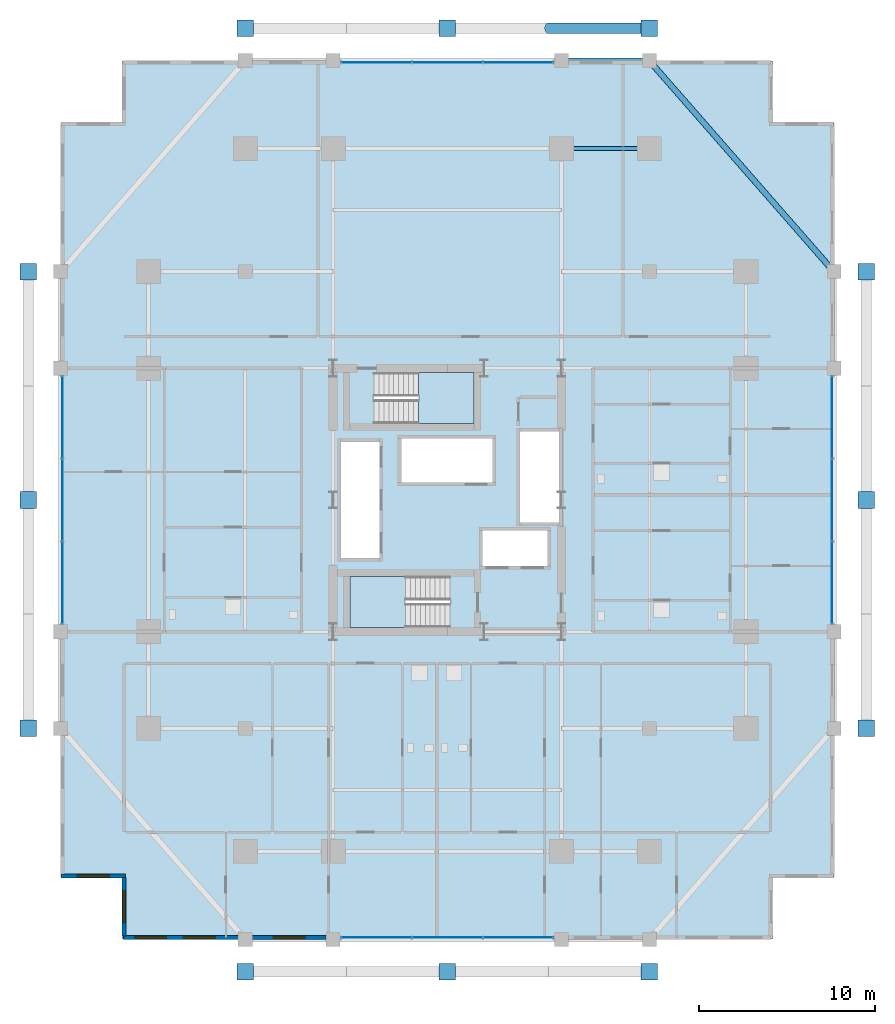
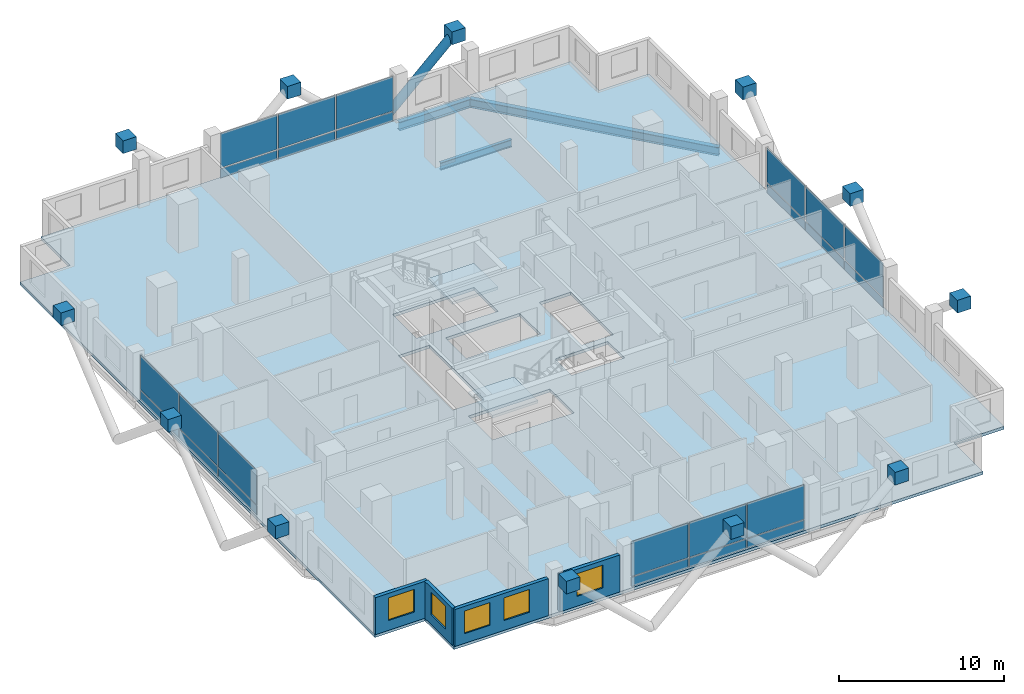
# One storey, part 16 of 23: 36 plates, 5 windows, 4 walls, 3 beams, 3 slabs, 1 member, 5 openings, 6 elements without a shape of their own.
"""IFC4 building model written with IfcOpenShell, lengths in metres."""

from ifc_helpers import new_model, si_unit, direction, frame, frame_2d, origin, origin_2d, place, context, subcontext, project, spatial, polyline, rectangle, hollow_circle, i_section, outline, extrude, material, layer, layer_set, material_profile, profile_set, type_object, element, fill, aggregate, save


model = new_model("IFC4")

# Units and contexts
model_context = context("Model", 3, precision=1e-05, world=origin(), true_north=direction((0.0, 1.0)))
body_context = subcontext(model_context, "Body", "Model", "MODEL_VIEW")
ifc_project = project(units=[si_unit("LENGTHUNIT", "METRE"), si_unit("AREAUNIT", "SQUARE_METRE"), si_unit("VOLUMEUNIT", "CUBIC_METRE"), si_unit("PLANEANGLEUNIT", "RADIAN"), si_unit("MASSUNIT", "GRAM", prefix="KILO")], contexts=[model_context])

# Site, building, storey
site_placement = place(None, origin())
site = spatial("IfcSite", under=ifc_project, at=site_placement, CompositionType="ELEMENT")
building_placement = place(site_placement, origin())
building = spatial("IfcBuilding", under=site, at=building_placement, Name="Barlavira Tower and Art Museum", CompositionType="ELEMENT")
storey_placement = place(building_placement, frame((0.0, 0.0, 68.39990234375)))
storey = spatial("IfcBuildingStorey", under=building, at=storey_placement, Name="L16", CompositionType="ELEMENT", Elevation=68.39990234375)

# Member
ifc_material_1 = material(Name="Steel S355", Category="steel")
ifc_material_profile_1 = material_profile(ifc_material_1, hollow_circle(Radius=0.304931640625, WallThickness=0.028076171875, at=origin_2d()), Name="CHS 610.0x28.0")
ifc_profile_set_1 = profile_set([ifc_material_profile_1], Name="Steel S355")
member_type = type_object("IfcMemberType", Name="Pale-Metal Exoskeleton Diagrid Tube CHS 610x28 Steel S355", PredefinedType="BRACE", material=ifc_profile_set_1)
member_placement = place(storey_placement, frame((5.75, 26.85009765625, -1.919921875), z_axis=(0.728950095515, 0.0, 0.684566839869), x_axis=(0.0, 1.0, 0.0)))
element("IfcMember", 1, at=member_placement, inside=storey, type_object=member_type, Name="L16 Exoskeleton Diagrid Tube N", PredefinedType="BRACE", context=body_context, shape_type="SweptSolid", body=[
    extrude(hollow_circle(Radius=0.304931640625, WallThickness=0.028076171875, at=origin_2d()), origin(), (0.0, 0.0, 1.0), 7.887939453125),
])

# Beams
ifc_material_profile_2 = material_profile(ifc_material_1, i_section(OverallWidth=0.327880859375, OverallDepth=0.62890625, WebThickness=0.013916015625, FlangeThickness=0.021484375, at=origin_2d()), Name="W610x174.0")
ifc_profile_set_2 = profile_set([ifc_material_profile_2], Name="Steel S355")
beam_type_1 = type_object("IfcBeamType", Name="Perimeter Spandrel Edge Beam W610x174 Steel S355", PredefinedType="SPANDREL", material=ifc_profile_set_2)
beam_1_placement = place(storey_placement, frame((22.0, 13.0, -0.534423828125), z_axis=(-0.658504607869, 0.752576694707, 0.0), x_axis=(-0.752576694707, -0.658504607869, 0.0)))
element("IfcBeam", 2, at=beam_1_placement, inside=storey, type_object=beam_type_1, Name="L16 Spandrel 8", PredefinedType="SPANDREL", context=body_context, shape_type="SweptSolid", body=[
    extrude(i_section(OverallWidth=0.327880859375, OverallDepth=0.62890625, WebThickness=0.013916015625, FlangeThickness=0.021484375, at=origin_2d()), origin(), (0.0, 0.0, 1.0), 15.9453125),
])
beam_2_placement = place(storey_placement, frame((6.5, 25.0, -0.534423828125), z_axis=(1.0, 0.0, 0.0), x_axis=(0.0, 1.0, 0.0)))
element("IfcBeam", 3, at=beam_2_placement, inside=storey, type_object=beam_type_1, Name="L16 Spandrel 9", PredefinedType="SPANDREL", context=body_context, shape_type="SweptSolid", body=[
    extrude(i_section(OverallWidth=0.327880859375, OverallDepth=0.62890625, WebThickness=0.013916015625, FlangeThickness=0.021484375, at=origin_2d()), origin(), (0.0, 0.0, 1.0), 5.0),
])
ifc_material_profile_3 = material_profile(ifc_material_1, i_section(OverallWidth=0.214111328125, OverallDepth=0.549072265625, WebThickness=0.0146484375, FlangeThickness=0.023681640625, at=origin_2d()), Name="W530x138.0")
ifc_profile_set_3 = profile_set([ifc_material_profile_3], Name="Steel S355")
beam_type_2 = type_object("IfcBeamType", Name="Zone 1 Primary Floor Girder W530x138 Steel S355", PredefinedType="BEAM", material=ifc_profile_set_3)
beam_3_placement = place(storey_placement, frame((6.5, 20.0, -0.494384765625), z_axis=(1.0, 0.0, 0.0), x_axis=(0.0, 1.0, 0.0)))
element("IfcBeam", 4, at=beam_3_placement, inside=storey, type_object=beam_type_2, Name="L16 Girder M-N3", PredefinedType="BEAM", context=body_context, shape_type="SweptSolid", body=[
    extrude(i_section(OverallWidth=0.214111328125, OverallDepth=0.549072265625, WebThickness=0.0146484375, FlangeThickness=0.023681640625, at=origin_2d()), origin(), (0.0, 0.0, 1.0), 5.0),
])

# Curtain wall, plates
ifc_material_2 = material(Name="Low-iron coastal laminated glass", Category="glass")
ifc_layer_1 = layer(ifc_material_2, 0.179931640625, Name="Low-iron coastal laminated glass")
ifc_layer_set_1 = layer_set([ifc_layer_1], Name="Low-iron coastal laminated glass")
curtain_wall_type = type_object("IfcCurtainWallType", Name="Pale-Metal Unitised Curtain Wall Zone 1", PredefinedType="NOTDEFINED", material=ifc_layer_set_1)
curtain_wall_1_placement = place(storey_placement, origin())
curtain_wall_1 = element("IfcCurtainWall", 5, at=curtain_wall_1_placement, inside=storey, type_object=curtain_wall_type, Name="L16 Curtain Wall CW1-L16-S-B3", PredefinedType="NOTDEFINED")
ifc_material_3 = material(Name="Pale anodised aluminium", Category="aluminium")
ifc_layer_2 = layer(ifc_material_3, 0.044921875, Name="Pale anodised aluminium")
ifc_layer_set_2 = layer_set([ifc_layer_2], Name="Pale anodised aluminium")
plate_type_1 = type_object("IfcPlateType", Name="Curtain Wall Pale-Metal Spandrel Panel 45", PredefinedType="CURTAIN_PANEL", material=ifc_layer_set_2)
plate_1_placement = place(storey_placement, frame((-4.05322265625, -24.89990234375, 0.0400390625), z_axis=(0.0, 0.0, 1.0), x_axis=(1.0, 0.0, 0.0)))
plate_1 = element("IfcPlate", 6, at=plate_1_placement, type_object=plate_type_1, Name="CW1-L16-S-B3 Spandrel Panel 0", PredefinedType="CURTAIN_PANEL", context=body_context, shape_type="SweptSolid", body=[
    extrude(rectangle(XDim=3.953369140625, YDim=0.044921875, at=origin_2d()), origin(), (0.0, 0.0, 1.0), 0.6640625),
])
plate_2_placement = place(storey_placement, frame((0.0, -24.89990234375, 0.0400390625), z_axis=(0.0, 0.0, 1.0), x_axis=(1.0, 0.0, 0.0)))
plate_2 = element("IfcPlate", 7, at=plate_2_placement, type_object=plate_type_1, Name="CW1-L16-S-B3 Spandrel Panel 1", PredefinedType="CURTAIN_PANEL", context=body_context, shape_type="SweptSolid", body=[
    extrude(rectangle(XDim=3.953369140625, YDim=0.044921875, at=origin_2d()), origin(), (0.0, 0.0, 1.0), 0.6640625),
])
plate_3_placement = place(storey_placement, frame((4.05322265625, -24.89990234375, 0.0400390625), z_axis=(0.0, 0.0, 1.0), x_axis=(1.0, 0.0, 0.0)))
plate_3 = element("IfcPlate", 8, at=plate_3_placement, type_object=plate_type_1, Name="CW1-L16-S-B3 Spandrel Panel 2", PredefinedType="CURTAIN_PANEL", context=body_context, shape_type="SweptSolid", body=[
    extrude(rectangle(XDim=3.953369140625, YDim=0.044921875, at=origin_2d()), origin(), (0.0, 0.0, 1.0), 0.6640625),
])

curtain_wall_2_placement = place(storey_placement, origin())
curtain_wall_2 = element("IfcCurtainWall", 9, at=curtain_wall_2_placement, inside=storey, type_object=curtain_wall_type, Name="L16 Curtain Wall CW1-L16-N-B3", PredefinedType="NOTDEFINED")
plate_4_placement = place(storey_placement, frame((4.05322265625, 24.89990234375, 0.0400390625), z_axis=(0.0, 0.0, 1.0), x_axis=(-1.0, 0.0, 0.0)))
plate_4 = element("IfcPlate", 10, at=plate_4_placement, type_object=plate_type_1, Name="CW1-L16-N-B3 Spandrel Panel 0", PredefinedType="CURTAIN_PANEL", context=body_context, shape_type="SweptSolid", body=[
    extrude(rectangle(XDim=3.953369140625, YDim=0.044921875, at=origin_2d()), origin(), (0.0, 0.0, 1.0), 0.6640625),
])
plate_5_placement = place(storey_placement, frame((0.0, 24.89990234375, 0.0400390625), z_axis=(0.0, 0.0, 1.0), x_axis=(-1.0, 0.0, 0.0)))
plate_5 = element("IfcPlate", 11, at=plate_5_placement, type_object=plate_type_1, Name="CW1-L16-N-B3 Spandrel Panel 1", PredefinedType="CURTAIN_PANEL", context=body_context, shape_type="SweptSolid", body=[
    extrude(rectangle(XDim=3.953369140625, YDim=0.044921875, at=origin_2d()), origin(), (0.0, 0.0, 1.0), 0.6640625),
])
plate_6_placement = place(storey_placement, frame((-4.05322265625, 24.89990234375, 0.0400390625), z_axis=(0.0, 0.0, 1.0), x_axis=(-1.0, 0.0, 0.0)))
plate_6 = element("IfcPlate", 12, at=plate_6_placement, type_object=plate_type_1, Name="CW1-L16-N-B3 Spandrel Panel 2", PredefinedType="CURTAIN_PANEL", context=body_context, shape_type="SweptSolid", body=[
    extrude(rectangle(XDim=3.953369140625, YDim=0.044921875, at=origin_2d()), origin(), (0.0, 0.0, 1.0), 0.6640625),
])

curtain_wall_3_placement = place(storey_placement, origin())
curtain_wall_3 = element("IfcCurtainWall", 13, at=curtain_wall_3_placement, inside=storey, type_object=curtain_wall_type, Name="L16 Curtain Wall CW1-L16-W-B3", PredefinedType="NOTDEFINED")
plate_7_placement = place(storey_placement, frame((-21.89990234375, 4.719970703125, 0.0400390625), z_axis=(0.0, 0.0, 1.0), x_axis=(0.0, -1.0, 0.0)))
plate_7 = element("IfcPlate", 14, at=plate_7_placement, type_object=plate_type_1, Name="CW1-L16-W-B3 Spandrel Panel 0", PredefinedType="CURTAIN_PANEL", context=body_context, shape_type="SweptSolid", body=[
    extrude(rectangle(XDim=4.6201171875, YDim=0.044921875, at=origin_2d()), origin(), (0.0, 0.0, 1.0), 0.6640625),
])
plate_8_placement = place(storey_placement, frame((-21.89990234375, 0.0, 0.0400390625), z_axis=(0.0, 0.0, 1.0), x_axis=(0.0, -1.0, 0.0)))
plate_8 = element("IfcPlate", 15, at=plate_8_placement, type_object=plate_type_1, Name="CW1-L16-W-B3 Spandrel Panel 1", PredefinedType="CURTAIN_PANEL", context=body_context, shape_type="SweptSolid", body=[
    extrude(rectangle(XDim=4.6201171875, YDim=0.044921875, at=origin_2d()), origin(), (0.0, 0.0, 1.0), 0.6640625),
])
plate_9_placement = place(storey_placement, frame((-21.89990234375, -4.719970703125, 0.0400390625), z_axis=(0.0, 0.0, 1.0), x_axis=(0.0, -1.0, 0.0)))
plate_9 = element("IfcPlate", 16, at=plate_9_placement, type_object=plate_type_1, Name="CW1-L16-W-B3 Spandrel Panel 2", PredefinedType="CURTAIN_PANEL", context=body_context, shape_type="SweptSolid", body=[
    extrude(rectangle(XDim=4.6201171875, YDim=0.044921875, at=origin_2d()), origin(), (0.0, 0.0, 1.0), 0.6640625),
])

curtain_wall_4_placement = place(storey_placement, origin())
curtain_wall_4 = element("IfcCurtainWall", 17, at=curtain_wall_4_placement, inside=storey, type_object=curtain_wall_type, Name="L16 Curtain Wall CW1-L16-E-B3", PredefinedType="NOTDEFINED")
plate_10_placement = place(storey_placement, frame((21.89990234375, -4.719970703125, 0.0400390625), z_axis=(0.0, 0.0, 1.0), x_axis=(0.0, 1.0, 0.0)))
plate_10 = element("IfcPlate", 18, at=plate_10_placement, type_object=plate_type_1, Name="CW1-L16-E-B3 Spandrel Panel 0", PredefinedType="CURTAIN_PANEL", context=body_context, shape_type="SweptSolid", body=[
    extrude(rectangle(XDim=4.6201171875, YDim=0.044921875, at=origin_2d()), origin(), (0.0, 0.0, 1.0), 0.6640625),
])
plate_11_placement = place(storey_placement, frame((21.89990234375, 0.0, 0.0400390625), z_axis=(0.0, 0.0, 1.0), x_axis=(0.0, 1.0, 0.0)))
plate_11 = element("IfcPlate", 19, at=plate_11_placement, type_object=plate_type_1, Name="CW1-L16-E-B3 Spandrel Panel 1", PredefinedType="CURTAIN_PANEL", context=body_context, shape_type="SweptSolid", body=[
    extrude(rectangle(XDim=4.6201171875, YDim=0.044921875, at=origin_2d()), origin(), (0.0, 0.0, 1.0), 0.6640625),
])
plate_12_placement = place(storey_placement, frame((21.89990234375, 4.719970703125, 0.0400390625), z_axis=(0.0, 0.0, 1.0), x_axis=(0.0, 1.0, 0.0)))
plate_12 = element("IfcPlate", 20, at=plate_12_placement, type_object=plate_type_1, Name="CW1-L16-E-B3 Spandrel Panel 2", PredefinedType="CURTAIN_PANEL", context=body_context, shape_type="SweptSolid", body=[
    extrude(rectangle(XDim=4.6201171875, YDim=0.044921875, at=origin_2d()), origin(), (0.0, 0.0, 1.0), 0.6640625),
])

# Plate
ifc_layer_3 = layer(ifc_material_2, 0.028076171875, Name="Low-iron coastal laminated glass")
ifc_layer_set_3 = layer_set([ifc_layer_3], Name="Low-iron coastal laminated glass")
plate_type_2 = type_object("IfcPlateType", Name="Curtain Wall Vision Glazing Panel 28", PredefinedType="CURTAIN_PANEL", material=ifc_layer_set_3)
plate_13_placement = place(storey_placement, frame((-4.05322265625, -24.89990234375, 0.7841796875), z_axis=(0.0, 0.0, 1.0), x_axis=(1.0, 0.0, 0.0)))
plate_13 = element("IfcPlate", 21, at=plate_13_placement, type_object=plate_type_2, Name="CW1-L16-S-B3 Vision Glass Panel 0", PredefinedType="CURTAIN_PANEL", context=body_context, shape_type="SweptSolid", body=[
    extrude(rectangle(XDim=3.953369140625, YDim=0.028076171875, at=origin_2d()), origin(), (0.0, 0.0, 1.0), 2.555908203125),
])

plate_14_placement = place(storey_placement, frame((0.0, -24.89990234375, 0.7841796875), z_axis=(0.0, 0.0, 1.0), x_axis=(1.0, 0.0, 0.0)))
plate_14 = element("IfcPlate", 22, at=plate_14_placement, type_object=plate_type_2, Name="CW1-L16-S-B3 Vision Glass Panel 1", PredefinedType="CURTAIN_PANEL", context=body_context, shape_type="SweptSolid", body=[
    extrude(rectangle(XDim=3.953369140625, YDim=0.028076171875, at=origin_2d()), origin(), (0.0, 0.0, 1.0), 2.555908203125),
])

plate_15_placement = place(storey_placement, frame((4.05322265625, -24.89990234375, 0.7841796875), z_axis=(0.0, 0.0, 1.0), x_axis=(1.0, 0.0, 0.0)))
plate_15 = element("IfcPlate", 23, at=plate_15_placement, type_object=plate_type_2, Name="CW1-L16-S-B3 Vision Glass Panel 2", PredefinedType="CURTAIN_PANEL", context=body_context, shape_type="SweptSolid", body=[
    extrude(rectangle(XDim=3.953369140625, YDim=0.028076171875, at=origin_2d()), origin(), (0.0, 0.0, 1.0), 2.555908203125),
])

aggregate(curtain_wall_1, [plate_1, plate_13, plate_2, plate_14, plate_3, plate_15])

plate_16_placement = place(storey_placement, frame((4.05322265625, 24.89990234375, 0.7841796875), z_axis=(0.0, 0.0, 1.0), x_axis=(-1.0, 0.0, 0.0)))
plate_16 = element("IfcPlate", 24, at=plate_16_placement, type_object=plate_type_2, Name="CW1-L16-N-B3 Vision Glass Panel 0", PredefinedType="CURTAIN_PANEL", context=body_context, shape_type="SweptSolid", body=[
    extrude(rectangle(XDim=3.953369140625, YDim=0.028076171875, at=origin_2d()), origin(), (0.0, 0.0, 1.0), 2.555908203125),
])

plate_17_placement = place(storey_placement, frame((0.0, 24.89990234375, 0.7841796875), z_axis=(0.0, 0.0, 1.0), x_axis=(-1.0, 0.0, 0.0)))
plate_17 = element("IfcPlate", 25, at=plate_17_placement, type_object=plate_type_2, Name="CW1-L16-N-B3 Vision Glass Panel 1", PredefinedType="CURTAIN_PANEL", context=body_context, shape_type="SweptSolid", body=[
    extrude(rectangle(XDim=3.953369140625, YDim=0.028076171875, at=origin_2d()), origin(), (0.0, 0.0, 1.0), 2.555908203125),
])

plate_18_placement = place(storey_placement, frame((-4.05322265625, 24.89990234375, 0.7841796875), z_axis=(0.0, 0.0, 1.0), x_axis=(-1.0, 0.0, 0.0)))
plate_18 = element("IfcPlate", 26, at=plate_18_placement, type_object=plate_type_2, Name="CW1-L16-N-B3 Vision Glass Panel 2", PredefinedType="CURTAIN_PANEL", context=body_context, shape_type="SweptSolid", body=[
    extrude(rectangle(XDim=3.953369140625, YDim=0.028076171875, at=origin_2d()), origin(), (0.0, 0.0, 1.0), 2.555908203125),
])

aggregate(curtain_wall_2, [plate_4, plate_16, plate_5, plate_17, plate_6, plate_18])

plate_19_placement = place(storey_placement, frame((-21.89990234375, 4.719970703125, 0.7841796875), z_axis=(0.0, 0.0, 1.0), x_axis=(0.0, -1.0, 0.0)))
plate_19 = element("IfcPlate", 27, at=plate_19_placement, type_object=plate_type_2, Name="CW1-L16-W-B3 Vision Glass Panel 0", PredefinedType="CURTAIN_PANEL", context=body_context, shape_type="SweptSolid", body=[
    extrude(rectangle(XDim=4.6201171875, YDim=0.028076171875, at=origin_2d()), origin(), (0.0, 0.0, 1.0), 2.555908203125),
])

plate_20_placement = place(storey_placement, frame((-21.89990234375, 0.0, 0.7841796875), z_axis=(0.0, 0.0, 1.0), x_axis=(0.0, -1.0, 0.0)))
plate_20 = element("IfcPlate", 28, at=plate_20_placement, type_object=plate_type_2, Name="CW1-L16-W-B3 Vision Glass Panel 1", PredefinedType="CURTAIN_PANEL", context=body_context, shape_type="SweptSolid", body=[
    extrude(rectangle(XDim=4.6201171875, YDim=0.028076171875, at=origin_2d()), origin(), (0.0, 0.0, 1.0), 2.555908203125),
])

plate_21_placement = place(storey_placement, frame((-21.89990234375, -4.719970703125, 0.7841796875), z_axis=(0.0, 0.0, 1.0), x_axis=(0.0, -1.0, 0.0)))
plate_21 = element("IfcPlate", 29, at=plate_21_placement, type_object=plate_type_2, Name="CW1-L16-W-B3 Vision Glass Panel 2", PredefinedType="CURTAIN_PANEL", context=body_context, shape_type="SweptSolid", body=[
    extrude(rectangle(XDim=4.6201171875, YDim=0.028076171875, at=origin_2d()), origin(), (0.0, 0.0, 1.0), 2.555908203125),
])

aggregate(curtain_wall_3, [plate_7, plate_19, plate_8, plate_20, plate_9, plate_21])

plate_22_placement = place(storey_placement, frame((21.89990234375, -4.719970703125, 0.7841796875), z_axis=(0.0, 0.0, 1.0), x_axis=(0.0, 1.0, 0.0)))
plate_22 = element("IfcPlate", 30, at=plate_22_placement, type_object=plate_type_2, Name="CW1-L16-E-B3 Vision Glass Panel 0", PredefinedType="CURTAIN_PANEL", context=body_context, shape_type="SweptSolid", body=[
    extrude(rectangle(XDim=4.6201171875, YDim=0.028076171875, at=origin_2d()), origin(), (0.0, 0.0, 1.0), 2.555908203125),
])

plate_23_placement = place(storey_placement, frame((21.89990234375, 0.0, 0.7841796875), z_axis=(0.0, 0.0, 1.0), x_axis=(0.0, 1.0, 0.0)))
plate_23 = element("IfcPlate", 31, at=plate_23_placement, type_object=plate_type_2, Name="CW1-L16-E-B3 Vision Glass Panel 1", PredefinedType="CURTAIN_PANEL", context=body_context, shape_type="SweptSolid", body=[
    extrude(rectangle(XDim=4.6201171875, YDim=0.028076171875, at=origin_2d()), origin(), (0.0, 0.0, 1.0), 2.555908203125),
])

plate_24_placement = place(storey_placement, frame((21.89990234375, 4.719970703125, 0.7841796875), z_axis=(0.0, 0.0, 1.0), x_axis=(0.0, 1.0, 0.0)))
plate_24 = element("IfcPlate", 32, at=plate_24_placement, type_object=plate_type_2, Name="CW1-L16-E-B3 Vision Glass Panel 2", PredefinedType="CURTAIN_PANEL", context=body_context, shape_type="SweptSolid", body=[
    extrude(rectangle(XDim=4.6201171875, YDim=0.028076171875, at=origin_2d()), origin(), (0.0, 0.0, 1.0), 2.555908203125),
])

aggregate(curtain_wall_4, [plate_10, plate_22, plate_11, plate_23, plate_12, plate_24])

# Plates
ifc_layer_4 = layer(ifc_material_1, 0.93994140625, Name="Steel S355")
ifc_layer_set_4 = layer_set([ifc_layer_4], Name="Steel S355")
plate_type_3 = type_object("IfcPlateType", Name="Exoskeleton Solid Steel Node Cap Plate Assembly Type 1 Steel S355", PredefinedType="USERDEFINED", material=ifc_layer_set_4)
for number, where, z_axis, x_axis, name in (
    (33, (-11.5, -26.85009765625, 3.010009765625), (0.0, 0.0, 1.0), (1.0, 0.0, 0.0), "Exoskeleton Node S ND-L16-0109"),
    (34, (0.0, -26.85009765625, 3.010009765625), (0.0, 0.0, 1.0), (1.0, 0.0, 0.0), "Exoskeleton Node S ND-L16-0110"),
    (35, (11.5, -26.85009765625, 3.010009765625), (0.0, 0.0, 1.0), (1.0, 0.0, 0.0), "Exoskeleton Node S ND-L16-0111"),
    (36, (-11.5, 26.85009765625, 3.010009765625), (0.0, 0.0, 1.0), (1.0, 0.0, 0.0), "Exoskeleton Node N ND-L16-0117"),
    (37, (0.0, 26.85009765625, 3.010009765625), (0.0, 0.0, 1.0), (1.0, 0.0, 0.0), "Exoskeleton Node N ND-L16-0118"),
    (38, (11.5, 26.85009765625, 3.010009765625), (0.0, 0.0, 1.0), (1.0, 0.0, 0.0), "Exoskeleton Node N ND-L16-0119"),
    (39, (-23.85009765625, -13.0, 3.010009765625), (0.0, 0.0, 1.0), (1.0, 0.0, 0.0), "Exoskeleton Node W ND-L16-0125"),
    (40, (-23.85009765625, 0.0, 3.010009765625), (0.0, 0.0, 1.0), (1.0, 0.0, 0.0), "Exoskeleton Node W ND-L16-0126"),
    (41, (-23.85009765625, 13.0, 3.010009765625), (0.0, 0.0, 1.0), (1.0, 0.0, 0.0), "Exoskeleton Node W ND-L16-0127"),
    (42, (23.85009765625, -13.0, 3.010009765625), (0.0, 0.0, 1.0), (1.0, 0.0, 0.0), "Exoskeleton Node E ND-L16-0133"),
    (43, (23.85009765625, 0.0, 3.010009765625), (0.0, 0.0, 1.0), (1.0, 0.0, 0.0), "Exoskeleton Node E ND-L16-0134"),
    (44, (23.85009765625, 13.0, 3.010009765625), (0.0, 0.0, 1.0), (1.0, 0.0, 0.0), "Exoskeleton Node E ND-L16-0135"),
):
    element("IfcPlate", number, at=place(storey_placement, frame(where, z_axis=z_axis, x_axis=x_axis)), inside=storey, type_object=plate_type_3, Name=name, ObjectType="FLANGE_PLATE", PredefinedType="USERDEFINED", context=body_context, shape_type="SweptSolid", body=[
        extrude(rectangle(XDim=0.93994140625, YDim=0.93994140625, at=origin_2d()), origin(), (0.0, 0.0, 1.0), 0.93994140625),
    ])

# Stair, slab
ifc_material_4 = material(Name="Concrete C45", Category="concrete")
stair_type_1 = type_object("IfcStairType", Name="Tower North Dog-Leg Exit Stair Assembly Concrete C45", PredefinedType="TWO_QUARTER_TURN_STAIR", material=ifc_material_4)
stair_1_placement = place(storey_placement, origin())
stair_1 = element("IfcStair", 45, at=stair_1_placement, inside=storey, type_object=stair_type_1, Name="L16 Tower North Exit Stair ST-T2", PredefinedType="TWO_QUARTER_TURN_STAIR")
ifc_layer_5 = layer(ifc_material_4, 0.199951171875, Name="Concrete C45")
ifc_layer_set_5 = layer_set([ifc_layer_5], Name="Concrete C45")
slab_type_1 = type_object("IfcSlabType", Name="Tower North Dog-Leg Exit Stair Half-Landing Slab 200 Concrete C45", PredefinedType="LANDING", material=ifc_layer_set_5)
slab_1_placement = place(storey_placement, frame((0.0, 0.0, 1.60009765625)))
slab_1 = element("IfcSlab", 46, at=slab_1_placement, type_object=slab_type_1, Name="ST-T2 landing 1", PredefinedType="LANDING", context=body_context, shape_type="SweptSolid", body=[
    extrude(outline(polyline([(-1.64990234375, 4.35009765625), (1.530029296875, 4.35009765625), (1.530029296875, 7.25), (-1.64990234375, 7.25), (-1.64990234375, 4.35009765625)])), origin(), (0.0, 0.0, 1.0), 0.199951171875),
])
aggregate(stair_1, [slab_1])

stair_type_2 = type_object("IfcStairType", Name="Tower South Dog-Leg Exit Stair Assembly Concrete C45", PredefinedType="TWO_QUARTER_TURN_STAIR", material=ifc_material_4)
stair_2_placement = place(storey_placement, origin())
stair_2 = element("IfcStair", 47, at=stair_2_placement, inside=storey, type_object=stair_type_2, Name="L16 Tower South Exit Stair ST-T1", PredefinedType="TWO_QUARTER_TURN_STAIR")
ifc_layer_6 = layer(ifc_material_4, 0.199951171875, Name="Concrete C45")
ifc_layer_set_6 = layer_set([ifc_layer_6], Name="Concrete C45")
slab_type_2 = type_object("IfcSlabType", Name="Tower South Dog-Leg Exit Stair Half-Landing Slab 200 Concrete C45", PredefinedType="LANDING", material=ifc_layer_set_6)
slab_2_placement = place(storey_placement, frame((0.0, 0.0, 1.60009765625)))
slab_2 = element("IfcSlab", 48, at=slab_2_placement, type_object=slab_type_2, Name="ST-T1 landing 1", PredefinedType="LANDING", context=body_context, shape_type="SweptSolid", body=[
    extrude(outline(polyline([(-2.3701171875, -4.35009765625), (-5.550048828125, -4.35009765625), (-5.550048828125, -7.25), (-2.3701171875, -7.25), (-2.3701171875, -4.35009765625)])), origin(), (0.0, 0.0, 1.0), 0.199951171875),
])
aggregate(stair_2, [slab_2])

# Slab
ifc_material_5 = material(Name="Concrete C50", Category="concrete")
ifc_layer_7 = layer(ifc_material_5, 0.219970703125, Name="Concrete C50")
ifc_layer_set_7 = layer_set([ifc_layer_7], Name="Concrete C50")
slab_type_3 = type_object("IfcSlabType", Name="Zone 1 Residential Composite Slab 220 Concrete C50", PredefinedType="FLOOR", material=ifc_layer_set_7)
slab_3_placement = place(storey_placement, frame((0.0, 0.0, -0.219970703125)))
element("IfcSlab", 49, at=slab_3_placement, inside=storey, type_object=slab_type_3, Name="L16 Tower Floor Slab", PredefinedType="FLOOR", context=body_context, shape_type="SweptSolid", body=[
    extrude(outline(polyline([(-18.5, -25.0), (18.5, -25.0), (18.5, -21.5), (22.0, -21.5), (22.0, 21.5), (18.5, 21.5), (18.5, 25.0), (-18.5, 25.0), (-18.5, 21.5), (-22.0, 21.5), (-22.0, -21.5), (-18.5, -21.5), (-18.5, -25.0)]), holes=[polyline([(0.14990234375, -4.35009765625), (-5.550048828125, -4.35009765625), (-5.550048828125, -7.25), (0.14990234375, -7.25), (0.14990234375, -4.35009765625)]), polyline([(-4.169921875, 4.35009765625), (1.530029296875, 4.35009765625), (1.530029296875, 7.25), (-4.169921875, 7.25), (-4.169921875, 4.35009765625)]), polyline([(-6.050048828125, -3.31005859375), (-3.85009765625, -3.31005859375), (-3.85009765625, 3.31005859375), (-6.050048828125, 3.31005859375), (-6.050048828125, -3.31005859375)]), polyline([(4.14990234375, -1.2900390625), (6.35009765625, -1.2900390625), (6.35009765625, 3.889892578125), (4.14990234375, 3.889892578125), (4.14990234375, -1.2900390625)]), polyline([(-2.6201171875, 1.0), (2.56005859375, 1.0), (2.56005859375, 3.5), (-2.6201171875, 3.5), (-2.6201171875, 1.0)]), polyline([(2.0, -3.75), (5.699951171875, -3.75), (5.699951171875, -1.75), (2.0, -1.75), (2.0, -3.75)])]), origin(), (0.0, 0.0, 1.0), 0.219970703125),
])

# Wall, openings, windows
ifc_material_6 = material(Name="Precast concrete C40", Category="concrete")
ifc_layer_8 = layer(ifc_material_6, 0.25, Name="Precast concrete C40")
ifc_layer_set_8 = layer_set([ifc_layer_8], Name="Precast concrete C40")
wall_type = type_object("IfcWallType", Name="Notched Corner Spandrel Wall 250 Precast Concrete C40", PredefinedType="SOLIDWALL", material=ifc_layer_set_8)
wall_1_placement = place(storey_placement, frame((-18.425048828125, -24.89990234375, 0.0), z_axis=(0.0, 0.0, 1.0), x_axis=(1.0, 0.0, 0.0)))
wall_1 = element("IfcWall", 50, at=wall_1_placement, inside=storey, type_object=wall_type, Name="L16 Coastal Facade Pier Wall CW1-L16-S-1", PredefinedType="SOLIDWALL", context=body_context, shape_type="SweptSolid", body=[
    extrude(rectangle(XDim=6.530029296875, YDim=0.25, at=frame_2d((3.26513671875, 0.0))), origin(), (0.0, 0.0, 1.0), 2.736083984375),
])
opening_1_placement = place(wall_1_placement, frame((0.64111328125, 0.0, 0.719970703125)))
opening_1 = element("IfcOpeningElement", 51, at=opening_1_placement, cuts=wall_1, Name="Opening WN-01", PredefinedType="OPENING", context=body_context, shape_type="SweptSolid", body=[
    extrude(rectangle(XDim=1.800048828125, YDim=1.679931640625, at=frame_2d((0.89990234375, 0.83984375))), frame((0.0, 0.135009765625, 0.0), z_axis=(0.0, -1.0, 0.0), x_axis=(1.0, 0.0, 0.0)), (0.0, 0.0, 1.0), 0.27001953125),
])
opening_2_placement = place(wall_1_placement, frame((3.404052734375, 0.0, 0.719970703125)))
opening_2 = element("IfcOpeningElement", 52, at=opening_2_placement, cuts=wall_1, Name="Opening WN-01", PredefinedType="OPENING", context=body_context, shape_type="SweptSolid", body=[
    extrude(rectangle(XDim=1.800048828125, YDim=1.679931640625, at=frame_2d((0.89990234375, 0.83984375))), frame((0.0, 0.135009765625, 0.0), z_axis=(0.0, -1.0, 0.0), x_axis=(1.0, 0.0, 0.0)), (0.0, 0.0, 1.0), 0.27001953125),
])
window_type = type_object("IfcWindowType", Name="Recessed Notch Corner Punch Window 1800x1680", PartitioningType="SINGLE_PANEL", PredefinedType="WINDOW", material=ifc_material_2)
window_1_placement = place(opening_1_placement, origin())
window_1 = element("IfcWindow", 53, at=window_1_placement, inside=storey, type_object=window_type, Name="L16 Punched Facade Window EWP-CW1-L16-S-1-1", OverallHeight=1.679931640625, OverallWidth=1.800048828125, PartitioningType="SINGLE_PANEL", PredefinedType="WINDOW", context=body_context, shape_type="SweptSolid", body=[
    extrude(rectangle(XDim=1.800048828125, YDim=1.679931640625, at=frame_2d((0.89990234375, 0.83984375))), frame((0.0, 0.030029296875, 0.0), z_axis=(0.0, -1.0, 0.0), x_axis=(1.0, 0.0, 0.0)), (0.0, 0.0, 1.0), 0.06005859375),
])
fill(opening_1, window_1)
window_2_placement = place(opening_2_placement, origin())
window_2 = element("IfcWindow", 54, at=window_2_placement, inside=storey, type_object=window_type, Name="L16 Punched Facade Window EWP-CW1-L16-S-1-2", OverallHeight=1.679931640625, OverallWidth=1.800048828125, PartitioningType="SINGLE_PANEL", PredefinedType="WINDOW", context=body_context, shape_type="SweptSolid", body=[
    extrude(rectangle(XDim=1.800048828125, YDim=1.679931640625, at=frame_2d((0.89990234375, 0.83984375))), frame((0.0, 0.030029296875, 0.0), z_axis=(0.0, -1.0, 0.0), x_axis=(1.0, 0.0, 0.0)), (0.0, 0.0, 1.0), 0.06005859375),
])
fill(opening_2, window_2)

# Wall, opening, window
wall_2_placement = place(storey_placement, frame((-11.10498046875, -24.89990234375, 0.0), z_axis=(0.0, 0.0, 1.0), x_axis=(1.0, 0.0, 0.0)))
wall_2 = element("IfcWall", 55, at=wall_2_placement, inside=storey, type_object=wall_type, Name="L16 Coastal Facade Pier Wall CW1-L16-S-2", PredefinedType="SOLIDWALL", context=body_context, shape_type="SweptSolid", body=[
    extrude(rectangle(XDim=4.2099609375, YDim=0.25, at=frame_2d((2.10498046875, 0.0))), origin(), (0.0, 0.0, 1.0), 2.736083984375),
])
opening_3_placement = place(wall_2_placement, frame((1.205078125, 0.0, 0.719970703125)))
opening_3 = element("IfcOpeningElement", 56, at=opening_3_placement, cuts=wall_2, Name="Opening WN-01", PredefinedType="OPENING", context=body_context, shape_type="SweptSolid", body=[
    extrude(rectangle(XDim=1.800048828125, YDim=1.679931640625, at=frame_2d((0.89990234375, 0.83984375))), frame((0.0, 0.135009765625, 0.0), z_axis=(0.0, -1.0, 0.0), x_axis=(1.0, 0.0, 0.0)), (0.0, 0.0, 1.0), 0.27001953125),
])
window_3_placement = place(opening_3_placement, origin())
window_3 = element("IfcWindow", 57, at=window_3_placement, inside=storey, type_object=window_type, Name="L16 Punched Facade Window EWP-CW1-L16-S-2-1", OverallHeight=1.679931640625, OverallWidth=1.800048828125, PartitioningType="SINGLE_PANEL", PredefinedType="WINDOW", context=body_context, shape_type="SweptSolid", body=[
    extrude(rectangle(XDim=1.800048828125, YDim=1.679931640625, at=frame_2d((0.89990234375, 0.83984375))), frame((0.0, 0.030029296875, 0.0), z_axis=(0.0, -1.0, 0.0), x_axis=(1.0, 0.0, 0.0)), (0.0, 0.0, 1.0), 0.06005859375),
])
fill(opening_3, window_3)

wall_3_placement = place(storey_placement, frame((-21.97998046875, -21.39990234375, 0.0), z_axis=(0.0, 0.0, 1.0), x_axis=(1.0, 0.0, 0.0)))
wall_3 = element("IfcWall", 58, at=wall_3_placement, inside=storey, type_object=wall_type, Name="L16 Notch Corner Wall SW1", PredefinedType="SOLIDWALL", context=body_context, shape_type="SweptSolid", body=[
    extrude(rectangle(XDim=3.659912109375, YDim=0.25, at=frame_2d((1.830078125, 0.0))), origin(), (0.0, 0.0, 1.0), 2.736083984375),
])
opening_4_placement = place(wall_3_placement, frame((0.929931640625, 0.0, 0.719970703125)))
opening_4 = element("IfcOpeningElement", 59, at=opening_4_placement, cuts=wall_3, Name="Opening WN-01", PredefinedType="OPENING", context=body_context, shape_type="SweptSolid", body=[
    extrude(rectangle(XDim=1.800048828125, YDim=1.679931640625, at=frame_2d((0.89990234375, 0.83984375))), frame((0.0, 0.135009765625, 0.0), z_axis=(0.0, -1.0, 0.0), x_axis=(1.0, 0.0, 0.0)), (0.0, 0.0, 1.0), 0.27001953125),
])
window_4_placement = place(opening_4_placement, origin())
window_4 = element("IfcWindow", 60, at=window_4_placement, inside=storey, type_object=window_type, Name="L16 Punched Facade Window EW-NTC-L16-SW1-1", OverallHeight=1.679931640625, OverallWidth=1.800048828125, PartitioningType="SINGLE_PANEL", PredefinedType="WINDOW", context=body_context, shape_type="SweptSolid", body=[
    extrude(rectangle(XDim=1.800048828125, YDim=1.679931640625, at=frame_2d((0.89990234375, 0.83984375))), frame((0.0, 0.030029296875, 0.0), z_axis=(0.0, -1.0, 0.0), x_axis=(1.0, 0.0, 0.0)), (0.0, 0.0, 1.0), 0.06005859375),
])
fill(opening_4, window_4)

wall_4_placement = place(storey_placement, frame((-18.39990234375, -21.47998046875, 0.0), z_axis=(0.0, 0.0, 1.0), x_axis=(0.0, -1.0, 0.0)))
wall_4 = element("IfcWall", 61, at=wall_4_placement, inside=storey, type_object=wall_type, Name="L16 Notch Corner Wall SW2", PredefinedType="SOLIDWALL", context=body_context, shape_type="SweptSolid", body=[
    extrude(rectangle(XDim=3.340087890625, YDim=0.25, at=frame_2d((1.669921875, 0.0))), origin(), (0.0, 0.0, 1.0), 2.736083984375),
])
opening_5_placement = place(wall_4_placement, frame((0.77001953125, 0.0, 0.719970703125)))
opening_5 = element("IfcOpeningElement", 62, at=opening_5_placement, cuts=wall_4, Name="Opening WN-01", PredefinedType="OPENING", context=body_context, shape_type="SweptSolid", body=[
    extrude(rectangle(XDim=1.800048828125, YDim=1.679931640625, at=frame_2d((0.89990234375, 0.83984375))), frame((0.0, 0.135009765625, 0.0), z_axis=(0.0, -1.0, 0.0), x_axis=(1.0, 0.0, 0.0)), (0.0, 0.0, 1.0), 0.27001953125),
])
window_5_placement = place(opening_5_placement, origin())
window_5 = element("IfcWindow", 63, at=window_5_placement, inside=storey, type_object=window_type, Name="L16 Punched Facade Window EW-NTC-L16-SW2-1", OverallHeight=1.679931640625, OverallWidth=1.800048828125, PartitioningType="SINGLE_PANEL", PredefinedType="WINDOW", context=body_context, shape_type="SweptSolid", body=[
    extrude(rectangle(XDim=1.800048828125, YDim=1.679931640625, at=frame_2d((0.89990234375, 0.83984375))), frame((0.0, 0.030029296875, 0.0), z_axis=(0.0, -1.0, 0.0), x_axis=(1.0, 0.0, 0.0)), (0.0, 0.0, 1.0), 0.06005859375),
])
fill(opening_5, window_5)

save(model, "model.ifc")
